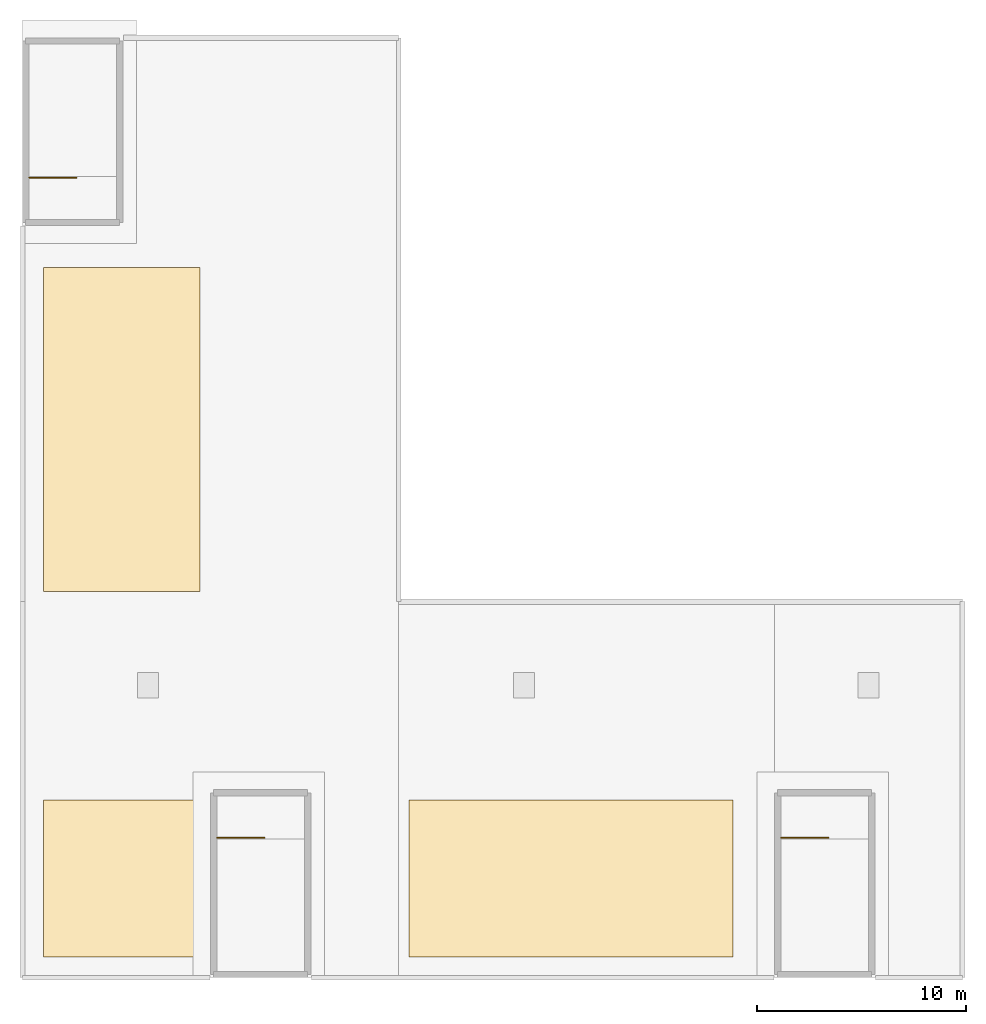
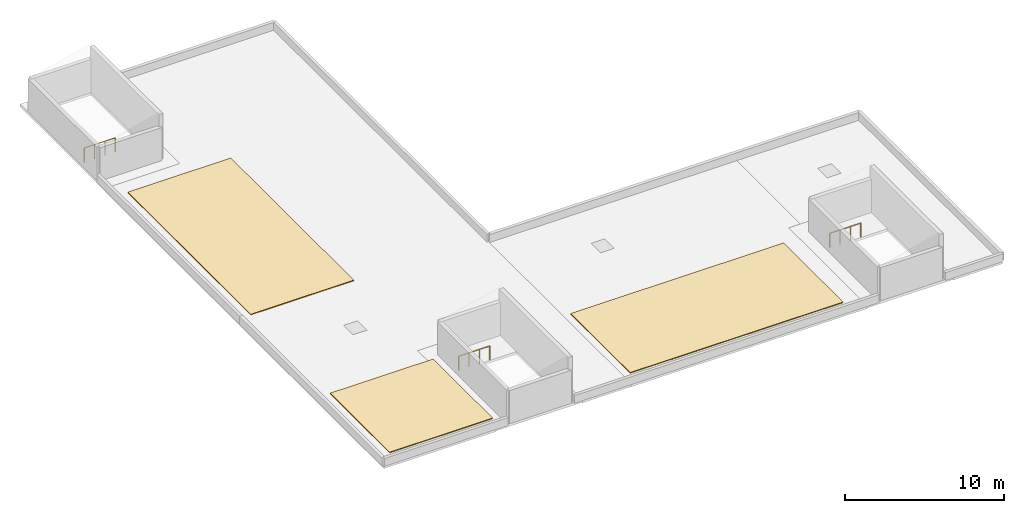
# One storey, part 2 of 2: 3 coverings, 3 railings.
"""IFC4 building model written with IfcOpenShell, lengths in metres."""

from ifc_helpers import new_model, si_unit, direction, frame, origin, origin_2d, place, context, subcontext, project, spatial, polyline, circle, outline, extrude, material, layer, layer_set, type_object, element, save


model = new_model("IFC4")

# Units and contexts
model_context = context("Model", 3, precision=1e-05, world=origin(), true_north=direction((0.0, 1.0)))
body_context = subcontext(model_context, "Body", "Model", "MODEL_VIEW")
ifc_project = project(units=[si_unit("LENGTHUNIT", "METRE"), si_unit("AREAUNIT", "SQUARE_METRE"), si_unit("VOLUMEUNIT", "CUBIC_METRE"), si_unit("PLANEANGLEUNIT", "RADIAN"), si_unit("MASSUNIT", "GRAM", prefix="KILO")], contexts=[model_context])

# Site, building, storey
site_placement = place(None, origin())
site = spatial("IfcSite", under=ifc_project, at=site_placement, CompositionType="ELEMENT")
building_placement = place(site_placement, origin())
building = spatial("IfcBuilding", under=site, at=building_placement, Name="Palais des Congres Ocreval", CompositionType="ELEMENT")
storey_placement = place(building_placement, frame((0.0, 0.0, 30.39990234375)))
storey = spatial("IfcBuildingStorey", under=building, at=storey_placement, Name="RF", CompositionType="ELEMENT", Elevation=30.39990234375)

# Railings
ifc_material_1 = material(Name="Steel S355", Category="steel")
railing_type = type_object("IfcRailingType", Name="Stairwell Steel Guardrail 1100", PredefinedType="GUARDRAIL", material=ifc_material_1)
for number, where, name in (
    (1, (9.320068359375, 6.699951171875, 0.0), "Stairwell Landing Edge Guard ST01 RF"),
    (2, (36.320068359375, 6.699951171875, 0.0), "Stairwell Landing Edge Guard ST02 RF"),
    (3, (0.320068359375, 38.300048828125, 0.0), "Stairwell Landing Edge Guard ST03 RF"),
):
    element("IfcRailing", number, at=place(storey_placement, frame(where)), inside=storey, type_object=railing_type, Name=name, PredefinedType="GUARDRAIL", context=body_context, shape_type="SweptSolid", body=[
        extrude(circle(Radius=0.02392578125, at=origin_2d()), frame((0.0, 0.0, 1.076171875), z_axis=(1.0, 0.0, 0.0), x_axis=(0.0, 1.0, 0.0)), (0.0, 0.0, 1.0), 2.25),
        extrude(circle(Radius=0.02099609375, at=origin_2d()), origin(), (0.0, 0.0, 1.0), 1.052001953125),
        extrude(circle(Radius=0.02099609375, at=origin_2d()), frame((0.75, 0.0, 0.0)), (0.0, 0.0, 1.0), 1.052001953125),
        extrude(circle(Radius=0.02099609375, at=origin_2d()), frame((1.5, 0.0, 0.0)), (0.0, 0.0, 1.0), 1.052001953125),
        extrude(circle(Radius=0.02099609375, at=origin_2d()), frame((2.25, 0.0, 0.0)), (0.0, 0.0, 1.0), 1.052001953125),
    ])

# Coverings
ifc_material_2 = material(Name="Planted roof substrate and EPDM membrane")
ifc_layer = layer(ifc_material_2, 0.06005859375)
ifc_layer_set = layer_set([ifc_layer], Name="Vegetated Intensive Roof Membrane 60 (Planted roof substrate and EPDM membrane)")
covering_type = type_object("IfcCoveringType", Name="Vegetated Intensive Roof Membrane 60", PredefinedType="ROOFING", material=ifc_layer_set)
covering_1_placement = place(storey_placement, origin())
element("IfcCovering", 4, at=covering_1_placement, inside=storey, type_object=covering_type, Name="Vegetated Roof Covering CV01 RF-1", PredefinedType="ROOFING", context=body_context, shape_type="SweptSolid", body=[
    extrude(outline(polyline([(1.0, 1.0), (8.5, 1.0), (8.5, 8.5), (1.0, 8.5), (1.0, 1.0)])), origin(), (0.0, 0.0, 1.0), 0.06005859375),
])
covering_2_placement = place(storey_placement, origin())
element("IfcCovering", 5, at=covering_2_placement, inside=storey, type_object=covering_type, Name="Vegetated Roof Covering CV01 RF-2", PredefinedType="ROOFING", context=body_context, shape_type="SweptSolid", body=[
    extrude(outline(polyline([(18.5, 1.0), (34.0, 1.0), (34.0, 8.5), (18.5, 8.5), (18.5, 1.0)])), origin(), (0.0, 0.0, 1.0), 0.06005859375),
])
covering_3_placement = place(storey_placement, origin())
element("IfcCovering", 6, at=covering_3_placement, inside=storey, type_object=covering_type, Name="Vegetated Roof Covering CV01 RF-3", PredefinedType="ROOFING", context=body_context, shape_type="SweptSolid", body=[
    extrude(outline(polyline([(1.0, 18.5), (8.5, 18.5), (8.5, 34.0), (1.0, 34.0), (1.0, 18.5)])), origin(), (0.0, 0.0, 1.0), 0.06005859375),
])

save(model, "model.ifc")
